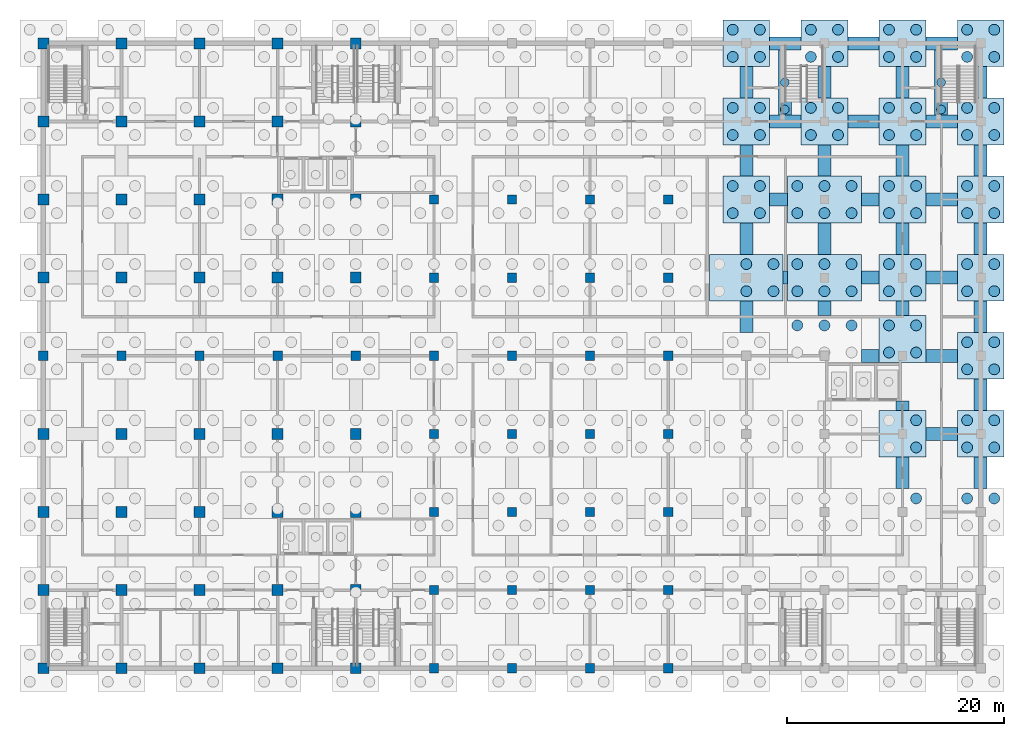
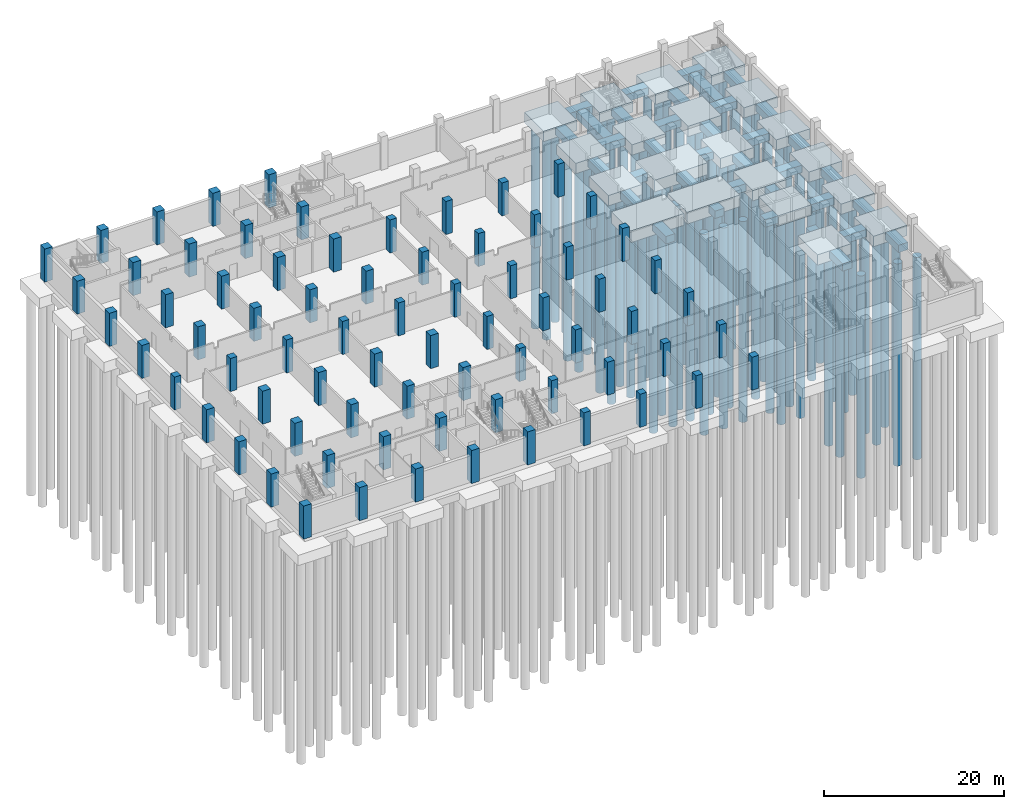
# One storey, part 5 of 19: 92 piles, 73 columns, 57 footings.
"""IFC4 building model written with IfcOpenShell, lengths in metres."""

from ifc_helpers import new_model, si_unit, direction, frame, origin, origin_2d, place, context, subcontext, project, spatial, rectangle, circle, extrude, material, material_profile, profile_set, type_object, element, save


model = new_model("IFC4")

# Units and contexts
model_context = context("Model", 3, precision=1e-05, world=origin(), true_north=direction((0.0, 1.0)))
body_context = subcontext(model_context, "Body", "Model", "MODEL_VIEW")
ifc_project = project(units=[si_unit("LENGTHUNIT", "METRE"), si_unit("AREAUNIT", "SQUARE_METRE"), si_unit("VOLUMEUNIT", "CUBIC_METRE"), si_unit("PLANEANGLEUNIT", "RADIAN"), si_unit("MASSUNIT", "GRAM", prefix="KILO")], contexts=[model_context])

# Site, building, storey
site_placement = place(None, origin())
site = spatial("IfcSite", under=ifc_project, at=site_placement, CompositionType="ELEMENT")
building_placement = place(site_placement, origin())
building = spatial("IfcBuilding", under=site, at=building_placement, Name="Silangan Lancet Faculty of Sciences", CompositionType="ELEMENT")
storey_placement = place(building_placement, frame((0.0, 0.0, -4.5)))
storey = spatial("IfcBuildingStorey", under=building, at=storey_placement, Name="B1", CompositionType="ELEMENT", Elevation=-4.5)

# Piles
ifc_material_1 = material(Name="Concrete C30/37", Category="concrete")
ifc_material_profile_1 = material_profile(ifc_material_1, circle(Radius=0.5, at=origin_2d()), Name="BORED PILE D1000")
ifc_profile_set_1 = profile_set([ifc_material_profile_1], Name="Concrete C30/37")
pile_type_1 = type_object("IfcPileType", Name="PILE BORED D1000", PredefinedType="BORED", material=ifc_profile_set_1)
for number, where, z_axis, x_axis, name in (
    (1, (64.800048828125, 34.75, -2.199951171875), (0.0, 0.0, -1.0), (1.0, 0.0, 0.0), "PILE-10F-2"),
    (2, (67.300048828125, 34.75, -2.199951171875), (0.0, 0.0, -1.0), (1.0, 0.0, 0.0), "PILE-10F-3"),
    (3, (64.800048828125, 37.25, -2.199951171875), (0.0, 0.0, -1.0), (1.0, 0.0, 0.0), "PILE-10F-5"),
    (4, (67.300048828125, 37.25, -2.199951171875), (0.0, 0.0, -1.0), (1.0, 0.0, 0.0), "PILE-10F-6"),
):
    element("IfcPile", number, at=place(storey_placement, frame(where, z_axis=z_axis, x_axis=x_axis)), inside=storey, type_object=pile_type_1, Name=name, PredefinedType="BORED", context=body_context, shape_type="SweptSolid", body=[
        extrude(circle(Radius=0.5, at=origin_2d()), origin(), (0.0, 0.0, 1.0), 27.300048828125),
    ])
for number, where, z_axis, x_axis, name in (
    (5, (63.550048828125, 41.949951171875, -2.0), (0.0, 0.0, -1.0), (1.0, 0.0, 0.0), "PILE-10G-1"),
    (6, (66.050048828125, 41.949951171875, -2.0), (0.0, 0.0, -1.0), (1.0, 0.0, 0.0), "PILE-10G-2"),
    (7, (63.550048828125, 44.449951171875, -2.0), (0.0, 0.0, -1.0), (1.0, 0.0, 0.0), "PILE-10G-3"),
    (8, (66.050048828125, 44.449951171875, -2.0), (0.0, 0.0, -1.0), (1.0, 0.0, 0.0), "PILE-10G-4"),
    (9, (63.550048828125, 49.14990234375, -2.0), (0.0, 0.0, -1.0), (1.0, 0.0, 0.0), "PILE-10H-1"),
    (10, (66.050048828125, 49.14990234375, -2.0), (0.0, 0.0, -1.0), (1.0, 0.0, 0.0), "PILE-10H-2"),
    (11, (63.550048828125, 51.64990234375, -2.0), (0.0, 0.0, -1.0), (1.0, 0.0, 0.0), "PILE-10H-3"),
    (12, (66.050048828125, 51.64990234375, -2.0), (0.0, 0.0, -1.0), (1.0, 0.0, 0.0), "PILE-10H-4"),
    (13, (63.550048828125, 56.35009765625, -2.0), (0.0, 0.0, -1.0), (1.0, 0.0, 0.0), "PILE-10I-1"),
    (14, (66.050048828125, 56.35009765625, -2.0), (0.0, 0.0, -1.0), (1.0, 0.0, 0.0), "PILE-10I-2"),
    (15, (63.550048828125, 58.85009765625, -2.0), (0.0, 0.0, -1.0), (1.0, 0.0, 0.0), "PILE-10I-3"),
    (16, (66.050048828125, 58.85009765625, -2.0), (0.0, 0.0, -1.0), (1.0, 0.0, 0.0), "PILE-10I-4"),
):
    element("IfcPile", number, at=place(storey_placement, frame(where, z_axis=z_axis, x_axis=x_axis)), inside=storey, type_object=pile_type_1, Name=name, PredefinedType="BORED", context=body_context, shape_type="SweptSolid", body=[
        extrude(circle(Radius=0.5, at=origin_2d()), origin(), (0.0, 0.0, 1.0), 27.5),
    ])
for number, where, z_axis, x_axis, name in (
    (17, (69.5, 31.60009765625, -2.199951171875), (0.0, 0.0, -1.0), (1.0, 0.0, 0.0), "PILE-11E-4"),
    (18, (72.0, 31.60009765625, -2.199951171875), (0.0, 0.0, -1.0), (1.0, 0.0, 0.0), "PILE-11E-5"),
    (19, (74.5, 31.60009765625, -2.199951171875), (0.0, 0.0, -1.0), (1.0, 0.0, 0.0), "PILE-11E-6"),
    (20, (69.5, 34.75, -2.199951171875), (0.0, 0.0, -1.0), (1.0, 0.0, 0.0), "PILE-11F-1"),
    (21, (72.0, 34.75, -2.199951171875), (0.0, 0.0, -1.0), (1.0, 0.0, 0.0), "PILE-11F-2"),
    (22, (74.5, 34.75, -2.199951171875), (0.0, 0.0, -1.0), (1.0, 0.0, 0.0), "PILE-11F-3"),
    (23, (69.5, 37.25, -2.199951171875), (0.0, 0.0, -1.0), (1.0, 0.0, 0.0), "PILE-11F-4"),
    (24, (72.0, 37.25, -2.199951171875), (0.0, 0.0, -1.0), (1.0, 0.0, 0.0), "PILE-11F-5"),
    (25, (74.5, 37.25, -2.199951171875), (0.0, 0.0, -1.0), (1.0, 0.0, 0.0), "PILE-11F-6"),
    (26, (69.5, 41.949951171875, -2.199951171875), (0.0, 0.0, -1.0), (1.0, 0.0, 0.0), "PILE-11G-1"),
    (27, (72.0, 41.949951171875, -2.199951171875), (0.0, 0.0, -1.0), (1.0, 0.0, 0.0), "PILE-11G-2"),
    (28, (74.5, 41.949951171875, -2.199951171875), (0.0, 0.0, -1.0), (1.0, 0.0, 0.0), "PILE-11G-3"),
    (29, (69.5, 44.449951171875, -2.199951171875), (0.0, 0.0, -1.0), (1.0, 0.0, 0.0), "PILE-11G-4"),
    (30, (72.0, 44.449951171875, -2.199951171875), (0.0, 0.0, -1.0), (1.0, 0.0, 0.0), "PILE-11G-5"),
    (31, (74.5, 44.449951171875, -2.199951171875), (0.0, 0.0, -1.0), (1.0, 0.0, 0.0), "PILE-11G-6"),
):
    element("IfcPile", number, at=place(storey_placement, frame(where, z_axis=z_axis, x_axis=x_axis)), inside=storey, type_object=pile_type_1, Name=name, PredefinedType="BORED", context=body_context, shape_type="SweptSolid", body=[
        extrude(circle(Radius=0.5, at=origin_2d()), origin(), (0.0, 0.0, 1.0), 27.300048828125),
    ])
for number, where, z_axis, x_axis, name in (
    (32, (70.75, 49.14990234375, -2.0), (0.0, 0.0, -1.0), (1.0, 0.0, 0.0), "PILE-11H-1"),
    (33, (73.25, 49.14990234375, -2.0), (0.0, 0.0, -1.0), (1.0, 0.0, 0.0), "PILE-11H-2"),
    (34, (70.75, 51.64990234375, -2.0), (0.0, 0.0, -1.0), (1.0, 0.0, 0.0), "PILE-11H-3"),
    (35, (73.25, 51.64990234375, -2.0), (0.0, 0.0, -1.0), (1.0, 0.0, 0.0), "PILE-11H-4"),
    (36, (70.75, 56.35009765625, -2.0), (0.0, 0.0, -1.0), (1.0, 0.0, 0.0), "PILE-11I-1"),
    (37, (73.25, 56.35009765625, -2.0), (0.0, 0.0, -1.0), (1.0, 0.0, 0.0), "PILE-11I-2"),
    (38, (70.75, 58.85009765625, -2.0), (0.0, 0.0, -1.0), (1.0, 0.0, 0.0), "PILE-11I-3"),
    (39, (73.25, 58.85009765625, -2.0), (0.0, 0.0, -1.0), (1.0, 0.0, 0.0), "PILE-11I-4"),
    (40, (80.449951171875, 15.64990234375, -2.0), (0.0, 0.0, -1.0), (1.0, 0.0, 0.0), "PILE-12C-4"),
    (41, (80.449951171875, 20.35009765625, -2.0), (0.0, 0.0, -1.0), (1.0, 0.0, 0.0), "PILE-12D-2"),
    (42, (80.449951171875, 22.85009765625, -2.0), (0.0, 0.0, -1.0), (1.0, 0.0, 0.0), "PILE-12D-4"),
    (43, (77.949951171875, 29.10009765625, -2.0), (0.0, 0.0, -1.0), (1.0, 0.0, 0.0), "PILE-12E-1"),
    (44, (80.449951171875, 29.10009765625, -2.0), (0.0, 0.0, -1.0), (1.0, 0.0, 0.0), "PILE-12E-2"),
    (45, (77.949951171875, 31.60009765625, -2.0), (0.0, 0.0, -1.0), (1.0, 0.0, 0.0), "PILE-12E-3"),
    (46, (80.449951171875, 31.60009765625, -2.0), (0.0, 0.0, -1.0), (1.0, 0.0, 0.0), "PILE-12E-4"),
    (47, (77.949951171875, 34.75, -2.0), (0.0, 0.0, -1.0), (1.0, 0.0, 0.0), "PILE-12F-1"),
    (48, (80.449951171875, 34.75, -2.0), (0.0, 0.0, -1.0), (1.0, 0.0, 0.0), "PILE-12F-2"),
    (49, (77.949951171875, 37.25, -2.0), (0.0, 0.0, -1.0), (1.0, 0.0, 0.0), "PILE-12F-3"),
    (50, (80.449951171875, 37.25, -2.0), (0.0, 0.0, -1.0), (1.0, 0.0, 0.0), "PILE-12F-4"),
    (51, (77.949951171875, 41.949951171875, -2.0), (0.0, 0.0, -1.0), (1.0, 0.0, 0.0), "PILE-12G-1"),
    (52, (80.449951171875, 41.949951171875, -2.0), (0.0, 0.0, -1.0), (1.0, 0.0, 0.0), "PILE-12G-2"),
    (53, (77.949951171875, 44.449951171875, -2.0), (0.0, 0.0, -1.0), (1.0, 0.0, 0.0), "PILE-12G-3"),
    (54, (80.449951171875, 44.449951171875, -2.0), (0.0, 0.0, -1.0), (1.0, 0.0, 0.0), "PILE-12G-4"),
    (55, (77.949951171875, 49.14990234375, -2.0), (0.0, 0.0, -1.0), (1.0, 0.0, 0.0), "PILE-12H-1"),
    (56, (80.449951171875, 49.14990234375, -2.0), (0.0, 0.0, -1.0), (1.0, 0.0, 0.0), "PILE-12H-2"),
    (57, (77.949951171875, 51.64990234375, -2.0), (0.0, 0.0, -1.0), (1.0, 0.0, 0.0), "PILE-12H-3"),
    (58, (80.449951171875, 51.64990234375, -2.0), (0.0, 0.0, -1.0), (1.0, 0.0, 0.0), "PILE-12H-4"),
    (59, (77.949951171875, 56.35009765625, -2.0), (0.0, 0.0, -1.0), (1.0, 0.0, 0.0), "PILE-12I-1"),
    (60, (80.449951171875, 56.35009765625, -2.0), (0.0, 0.0, -1.0), (1.0, 0.0, 0.0), "PILE-12I-2"),
    (61, (77.949951171875, 58.85009765625, -2.0), (0.0, 0.0, -1.0), (1.0, 0.0, 0.0), "PILE-12I-3"),
    (62, (80.449951171875, 58.85009765625, -2.0), (0.0, 0.0, -1.0), (1.0, 0.0, 0.0), "PILE-12I-4"),
    (63, (85.14990234375, 15.64990234375, -2.0), (0.0, 0.0, -1.0), (1.0, 0.0, 0.0), "PILE-13C-3"),
    (64, (87.64990234375, 15.64990234375, -2.0), (0.0, 0.0, -1.0), (1.0, 0.0, 0.0), "PILE-13C-4"),
    (65, (85.14990234375, 20.35009765625, -2.0), (0.0, 0.0, -1.0), (1.0, 0.0, 0.0), "PILE-13D-1"),
    (66, (87.64990234375, 20.35009765625, -2.0), (0.0, 0.0, -1.0), (1.0, 0.0, 0.0), "PILE-13D-2"),
    (67, (85.14990234375, 22.85009765625, -2.0), (0.0, 0.0, -1.0), (1.0, 0.0, 0.0), "PILE-13D-3"),
    (68, (87.64990234375, 22.85009765625, -2.0), (0.0, 0.0, -1.0), (1.0, 0.0, 0.0), "PILE-13D-4"),
    (69, (85.14990234375, 27.550048828125, -2.0), (0.0, 0.0, -1.0), (1.0, 0.0, 0.0), "PILE-13E-1"),
    (70, (87.64990234375, 27.550048828125, -2.0), (0.0, 0.0, -1.0), (1.0, 0.0, 0.0), "PILE-13E-2"),
    (71, (85.14990234375, 30.050048828125, -2.0), (0.0, 0.0, -1.0), (1.0, 0.0, 0.0), "PILE-13E-3"),
    (72, (87.64990234375, 30.050048828125, -2.0), (0.0, 0.0, -1.0), (1.0, 0.0, 0.0), "PILE-13E-4"),
    (73, (85.14990234375, 34.75, -2.0), (0.0, 0.0, -1.0), (1.0, 0.0, 0.0), "PILE-13F-1"),
    (74, (87.64990234375, 34.75, -2.0), (0.0, 0.0, -1.0), (1.0, 0.0, 0.0), "PILE-13F-2"),
    (75, (85.14990234375, 37.25, -2.0), (0.0, 0.0, -1.0), (1.0, 0.0, 0.0), "PILE-13F-3"),
    (76, (87.64990234375, 37.25, -2.0), (0.0, 0.0, -1.0), (1.0, 0.0, 0.0), "PILE-13F-4"),
    (77, (85.14990234375, 41.949951171875, -2.0), (0.0, 0.0, -1.0), (1.0, 0.0, 0.0), "PILE-13G-1"),
    (78, (87.64990234375, 41.949951171875, -2.0), (0.0, 0.0, -1.0), (1.0, 0.0, 0.0), "PILE-13G-2"),
    (79, (85.14990234375, 44.449951171875, -2.0), (0.0, 0.0, -1.0), (1.0, 0.0, 0.0), "PILE-13G-3"),
    (80, (87.64990234375, 44.449951171875, -2.0), (0.0, 0.0, -1.0), (1.0, 0.0, 0.0), "PILE-13G-4"),
    (81, (85.14990234375, 49.14990234375, -2.0), (0.0, 0.0, -1.0), (1.0, 0.0, 0.0), "PILE-13H-1"),
    (82, (87.64990234375, 49.14990234375, -2.0), (0.0, 0.0, -1.0), (1.0, 0.0, 0.0), "PILE-13H-2"),
    (83, (85.14990234375, 51.64990234375, -2.0), (0.0, 0.0, -1.0), (1.0, 0.0, 0.0), "PILE-13H-3"),
    (84, (87.64990234375, 51.64990234375, -2.0), (0.0, 0.0, -1.0), (1.0, 0.0, 0.0), "PILE-13H-4"),
    (85, (85.14990234375, 56.35009765625, -2.0), (0.0, 0.0, -1.0), (1.0, 0.0, 0.0), "PILE-13I-1"),
    (86, (87.64990234375, 56.35009765625, -2.0), (0.0, 0.0, -1.0), (1.0, 0.0, 0.0), "PILE-13I-2"),
    (87, (85.14990234375, 58.85009765625, -2.0), (0.0, 0.0, -1.0), (1.0, 0.0, 0.0), "PILE-13I-3"),
    (88, (87.64990234375, 58.85009765625, -2.0), (0.0, 0.0, -1.0), (1.0, 0.0, 0.0), "PILE-13I-4"),
):
    element("IfcPile", number, at=place(storey_placement, frame(where, z_axis=z_axis, x_axis=x_axis)), inside=storey, type_object=pile_type_1, Name=name, PredefinedType="BORED", context=body_context, shape_type="SweptSolid", body=[
        extrude(circle(Radius=0.5, at=origin_2d()), origin(), (0.0, 0.0, 1.0), 27.5),
    ])
ifc_material_2 = material(Name="Concrete C30/37", Category="concrete")
ifc_material_profile_2 = material_profile(ifc_material_2, circle(Radius=0.39990234375, at=origin_2d()), Name="BORED PILE D800")
ifc_profile_set_2 = profile_set([ifc_material_profile_2], Name="Concrete C30/37")
pile_type_2 = type_object("IfcPileType", Name="PILE BORED D800", PredefinedType="BORED", material=ifc_profile_set_2)
for number, where, z_axis, x_axis, name in (
    (89, (68.35009765625, 54.0, -1.60009765625), (0.0, 0.0, -1.0), (1.0, 0.0, 0.0), "PILE-FB-WNAB-B-1"),
    (90, (68.35009765625, 51.5, -1.60009765625), (0.0, 0.0, -1.0), (1.0, 0.0, 0.0), "PILE-FB-WNAB-B-2"),
    (91, (82.75, 54.0, -1.60009765625), (0.0, 0.0, -1.0), (1.0, 0.0, 0.0), "PILE-FB-WEB-B-1"),
    (92, (82.75, 51.5, -1.60009765625), (0.0, 0.0, -1.0), (1.0, 0.0, 0.0), "PILE-FB-WEB-B-2"),
):
    element("IfcPile", number, at=place(storey_placement, frame(where, z_axis=z_axis, x_axis=x_axis)), inside=storey, type_object=pile_type_2, Name=name, PredefinedType="BORED", context=body_context, shape_type="SweptSolid", body=[
        extrude(circle(Radius=0.39990234375, at=origin_2d()), origin(), (0.0, 0.0, 1.0), 27.89990234375),
    ])

# Footings
ifc_material_3 = material(Name="Concrete C30/37", Category="concrete")
footing_type_1 = type_object("IfcFootingType", Name="PILE CAP 4 PILES 4300x4300x1400", PredefinedType="PILE_CAP", material=ifc_material_3)
for number, where, z_axis, x_axis, name in (
    (93, (64.800048828125, 43.199951171875, -2.0), (0.0, 0.0, 1.0), (1.0, 0.0, 0.0), "CAP-10G"),
    (94, (64.800048828125, 50.39990234375, -2.0), (0.0, 0.0, 1.0), (1.0, 0.0, 0.0), "CAP-10H"),
    (95, (64.800048828125, 57.60009765625, -2.0), (0.0, 0.0, 1.0), (1.0, 0.0, 0.0), "CAP-10I"),
    (96, (72.0, 50.39990234375, -2.0), (0.0, 0.0, 1.0), (1.0, 0.0, 0.0), "CAP-11H"),
    (97, (72.0, 57.60009765625, -2.0), (0.0, 0.0, 1.0), (1.0, 0.0, 0.0), "CAP-11I"),
    (98, (79.199951171875, 21.60009765625, -2.0), (0.0, 0.0, 1.0), (1.0, 0.0, 0.0), "CAP-12D"),
    (99, (79.199951171875, 30.35009765625, -2.0), (0.0, 0.0, 1.0), (1.0, 0.0, 0.0), "CAP-12E"),
    (100, (79.199951171875, 36.0, -2.0), (0.0, 0.0, 1.0), (1.0, 0.0, 0.0), "CAP-12F"),
    (101, (79.199951171875, 43.199951171875, -2.0), (0.0, 0.0, 1.0), (1.0, 0.0, 0.0), "CAP-12G"),
    (102, (79.199951171875, 50.39990234375, -2.0), (0.0, 0.0, 1.0), (1.0, 0.0, 0.0), "CAP-12H"),
    (103, (79.199951171875, 57.60009765625, -2.0), (0.0, 0.0, 1.0), (1.0, 0.0, 0.0), "CAP-12I"),
    (104, (86.39990234375, 21.60009765625, -2.0), (0.0, 0.0, 1.0), (1.0, 0.0, 0.0), "CAP-13D"),
    (105, (86.39990234375, 28.800048828125, -2.0), (0.0, 0.0, 1.0), (1.0, 0.0, 0.0), "CAP-13E"),
    (106, (86.39990234375, 36.0, -2.0), (0.0, 0.0, 1.0), (1.0, 0.0, 0.0), "CAP-13F"),
    (107, (86.39990234375, 43.199951171875, -2.0), (0.0, 0.0, 1.0), (1.0, 0.0, 0.0), "CAP-13G"),
    (108, (86.39990234375, 50.39990234375, -2.0), (0.0, 0.0, 1.0), (1.0, 0.0, 0.0), "CAP-13H"),
    (109, (86.39990234375, 57.60009765625, -2.0), (0.0, 0.0, 1.0), (1.0, 0.0, 0.0), "CAP-13I"),
):
    element("IfcFooting", number, at=place(storey_placement, frame(where, z_axis=z_axis, x_axis=x_axis)), inside=storey, type_object=footing_type_1, Name=name, PredefinedType="PILE_CAP", context=body_context, shape_type="SweptSolid", body=[
        extrude(rectangle(XDim=4.300048828125, YDim=4.300048828125, at=origin_2d()), origin(), (0.0, 0.0, 1.0), 1.39990234375),
    ])
ifc_material_4 = material(Name="Concrete C30/37", Category="concrete")
footing_type_2 = type_object("IfcFootingType", Name="PILE CAP 6 PILES 6800x4300x1600", PredefinedType="PILE_CAP", material=ifc_material_4)
for number, where, z_axis, x_axis, name in (
    (110, (64.800048828125, 36.0, -2.199951171875), (0.0, 0.0, 1.0), (1.0, 0.0, 0.0), "CAP-10F"),
    (111, (72.0, 36.0, -2.199951171875), (0.0, 0.0, 1.0), (1.0, 0.0, 0.0), "CAP-11F"),
    (112, (72.0, 43.199951171875, -2.199951171875), (0.0, 0.0, 1.0), (1.0, 0.0, 0.0), "CAP-11G"),
):
    element("IfcFooting", number, at=place(storey_placement, frame(where, z_axis=z_axis, x_axis=x_axis)), inside=storey, type_object=footing_type_2, Name=name, PredefinedType="PILE_CAP", context=body_context, shape_type="SweptSolid", body=[
        extrude(rectangle(XDim=6.800048828125, YDim=4.300048828125, at=origin_2d()), origin(), (0.0, 0.0, 1.0), 1.60009765625),
    ])
ifc_material_5 = material(Name="Concrete C30/37", Category="concrete")
footing_type_3 = type_object("IfcFootingType", Name="PILE CAP BEAM 1200x1000", PredefinedType="FOOTING_BEAM", material=ifc_material_5)
for number, where, z_axis, x_axis, name in (
    (113, (68.39990234375, 57.60009765625, -1.60009765625), (0.0, 0.0, 1.0), (1.0, 0.0, 0.0), "FB-10I-11I"),
    (114, (75.60009765625, 57.60009765625, -1.60009765625), (0.0, 0.0, 1.0), (1.0, 0.0, 0.0), "FB-11I-12I"),
    (115, (82.800048828125, 57.60009765625, -1.60009765625), (0.0, 0.0, 1.0), (1.0, 0.0, 0.0), "FB-12I-13I"),
    (116, (86.39990234375, 18.0, -1.60009765625), (0.0, 0.0, 1.0), (0.0, 1.0, 0.0), "FB-13C-13D"),
    (117, (86.39990234375, 25.199951171875, -1.60009765625), (0.0, 0.0, 1.0), (0.0, 1.0, 0.0), "FB-13D-13E"),
    (118, (86.39990234375, 32.39990234375, -1.60009765625), (0.0, 0.0, 1.0), (0.0, 1.0, 0.0), "FB-13E-13F"),
    (119, (86.39990234375, 39.60009765625, -1.60009765625), (0.0, 0.0, 1.0), (0.0, 1.0, 0.0), "FB-13F-13G"),
    (120, (86.39990234375, 46.800048828125, -1.60009765625), (0.0, 0.0, 1.0), (0.0, 1.0, 0.0), "FB-13G-13H"),
    (121, (86.39990234375, 54.0, -1.60009765625), (0.0, 0.0, 1.0), (0.0, 1.0, 0.0), "FB-13H-13I"),
    (122, (64.800048828125, 32.39990234375, -1.60009765625), (0.0, 0.0, 1.0), (0.0, 1.0, 0.0), "FB-10E-10F"),
    (123, (64.800048828125, 39.60009765625, -1.60009765625), (0.0, 0.0, 1.0), (0.0, 1.0, 0.0), "FB-10F-10G"),
    (124, (64.800048828125, 46.800048828125, -1.60009765625), (0.0, 0.0, 1.0), (0.0, 1.0, 0.0), "FB-10G-10H"),
    (125, (64.800048828125, 54.0, -1.60009765625), (0.0, 0.0, 1.0), (0.0, 1.0, 0.0), "FB-10H-10I"),
):
    element("IfcFooting", number, at=place(storey_placement, frame(where, z_axis=z_axis, x_axis=x_axis)), inside=storey, type_object=footing_type_3, Name=name, PredefinedType="FOOTING_BEAM", context=body_context, shape_type="SweptSolid", body=[
        extrude(rectangle(XDim=2.89990234375, YDim=1.199951171875, at=origin_2d()), origin(), (0.0, 0.0, 1.0), 1.0),
    ])
footing_1_placement = place(storey_placement, frame((72.0, 33.175048828125, -1.60009765625), z_axis=(0.0, 0.0, 1.0), x_axis=(0.0, 1.0, 0.0)))
element("IfcFooting", 126, at=footing_1_placement, inside=storey, type_object=footing_type_3, Name="FB-11E-11F", PredefinedType="FOOTING_BEAM", context=body_context, shape_type="SweptSolid", body=[
    extrude(rectangle(XDim=1.35009765625, YDim=1.199951171875, at=origin_2d()), origin(), (0.0, 0.0, 1.0), 1.0),
])
for number, where, z_axis, x_axis, name in (
    (127, (72.0, 39.60009765625, -1.60009765625), (0.0, 0.0, 1.0), (0.0, 1.0, 0.0), "FB-11F-11G"),
    (128, (72.0, 46.800048828125, -1.60009765625), (0.0, 0.0, 1.0), (0.0, 1.0, 0.0), "FB-11G-11H"),
    (129, (72.0, 54.0, -1.60009765625), (0.0, 0.0, 1.0), (0.0, 1.0, 0.0), "FB-11H-11I"),
    (130, (79.199951171875, 18.0, -1.60009765625), (0.0, 0.0, 1.0), (0.0, 1.0, 0.0), "FB-12C-12D"),
):
    element("IfcFooting", number, at=place(storey_placement, frame(where, z_axis=z_axis, x_axis=x_axis)), inside=storey, type_object=footing_type_3, Name=name, PredefinedType="FOOTING_BEAM", context=body_context, shape_type="SweptSolid", body=[
        extrude(rectangle(XDim=2.89990234375, YDim=1.199951171875, at=origin_2d()), origin(), (0.0, 0.0, 1.0), 1.0),
    ])
footing_2_placement = place(storey_placement, frame((79.199951171875, 24.199951171875, -1.60009765625), z_axis=(0.0, 0.0, 1.0), x_axis=(0.0, 1.0, 0.0)))
element("IfcFooting", 131, at=footing_2_placement, inside=storey, type_object=footing_type_3, Name="FB-12D-12E", PredefinedType="FOOTING_BEAM", context=body_context, shape_type="SweptSolid", body=[
    extrude(rectangle(XDim=0.89990234375, YDim=1.199951171875, at=origin_2d()), origin(), (0.0, 0.0, 1.0), 1.0),
])
footing_3_placement = place(storey_placement, frame((79.199951171875, 33.175048828125, -1.60009765625), z_axis=(0.0, 0.0, 1.0), x_axis=(0.0, 1.0, 0.0)))
element("IfcFooting", 132, at=footing_3_placement, inside=storey, type_object=footing_type_3, Name="FB-12E-12F", PredefinedType="FOOTING_BEAM", context=body_context, shape_type="SweptSolid", body=[
    extrude(rectangle(XDim=1.35009765625, YDim=1.199951171875, at=origin_2d()), origin(), (0.0, 0.0, 1.0), 1.0),
])
for number, where, z_axis, x_axis, name in (
    (133, (79.199951171875, 39.60009765625, -1.60009765625), (0.0, 0.0, 1.0), (0.0, 1.0, 0.0), "FB-12F-12G"),
    (134, (79.199951171875, 46.800048828125, -1.60009765625), (0.0, 0.0, 1.0), (0.0, 1.0, 0.0), "FB-12G-12H"),
    (135, (79.199951171875, 54.0, -1.60009765625), (0.0, 0.0, 1.0), (0.0, 1.0, 0.0), "FB-12H-12I"),
    (136, (82.800048828125, 21.60009765625, -1.60009765625), (0.0, 0.0, 1.0), (1.0, 0.0, 0.0), "FB-12D-13D"),
):
    element("IfcFooting", number, at=place(storey_placement, frame(where, z_axis=z_axis, x_axis=x_axis)), inside=storey, type_object=footing_type_3, Name=name, PredefinedType="FOOTING_BEAM", context=body_context, shape_type="SweptSolid", body=[
        extrude(rectangle(XDim=2.89990234375, YDim=1.199951171875, at=origin_2d()), origin(), (0.0, 0.0, 1.0), 1.0),
    ])
footing_4_placement = place(storey_placement, frame((76.22509765625, 28.800048828125, -1.60009765625), z_axis=(0.0, 0.0, 1.0), x_axis=(1.0, 0.0, 0.0)))
element("IfcFooting", 137, at=footing_4_placement, inside=storey, type_object=footing_type_3, Name="FB-11E-12E", PredefinedType="FOOTING_BEAM", context=body_context, shape_type="SweptSolid", body=[
    extrude(rectangle(XDim=1.64990234375, YDim=1.199951171875, at=origin_2d()), origin(), (0.0, 0.0, 1.0), 1.0),
])
footing_5_placement = place(storey_placement, frame((82.800048828125, 28.800048828125, -1.60009765625), z_axis=(0.0, 0.0, 1.0), x_axis=(1.0, 0.0, 0.0)))
element("IfcFooting", 138, at=footing_5_placement, inside=storey, type_object=footing_type_3, Name="FB-12E-13E", PredefinedType="FOOTING_BEAM", context=body_context, shape_type="SweptSolid", body=[
    extrude(rectangle(XDim=2.89990234375, YDim=1.199951171875, at=origin_2d()), origin(), (0.0, 0.0, 1.0), 1.0),
])
footing_6_placement = place(storey_placement, frame((68.39990234375, 36.0, -1.60009765625), z_axis=(0.0, 0.0, 1.0), x_axis=(1.0, 0.0, 0.0)))
element("IfcFooting", 139, at=footing_6_placement, inside=storey, type_object=footing_type_3, Name="FB-10F-11F", PredefinedType="FOOTING_BEAM", context=body_context, shape_type="SweptSolid", body=[
    extrude(rectangle(XDim=0.39990234375, YDim=1.199951171875, at=origin_2d()), origin(), (0.0, 0.0, 1.0), 1.0),
])
footing_7_placement = place(storey_placement, frame((76.22509765625, 36.0, -1.60009765625), z_axis=(0.0, 0.0, 1.0), x_axis=(1.0, 0.0, 0.0)))
element("IfcFooting", 140, at=footing_7_placement, inside=storey, type_object=footing_type_3, Name="FB-11F-12F", PredefinedType="FOOTING_BEAM", context=body_context, shape_type="SweptSolid", body=[
    extrude(rectangle(XDim=1.64990234375, YDim=1.199951171875, at=origin_2d()), origin(), (0.0, 0.0, 1.0), 1.0),
])
footing_8_placement = place(storey_placement, frame((82.800048828125, 36.0, -1.60009765625), z_axis=(0.0, 0.0, 1.0), x_axis=(1.0, 0.0, 0.0)))
element("IfcFooting", 141, at=footing_8_placement, inside=storey, type_object=footing_type_3, Name="FB-12F-13F", PredefinedType="FOOTING_BEAM", context=body_context, shape_type="SweptSolid", body=[
    extrude(rectangle(XDim=2.89990234375, YDim=1.199951171875, at=origin_2d()), origin(), (0.0, 0.0, 1.0), 1.0),
])
for number, where, z_axis, x_axis, name in (
    (142, (67.77490234375, 43.199951171875, -1.60009765625), (0.0, 0.0, 1.0), (1.0, 0.0, 0.0), "FB-10G-11G"),
    (143, (76.22509765625, 43.199951171875, -1.60009765625), (0.0, 0.0, 1.0), (1.0, 0.0, 0.0), "FB-11G-12G"),
):
    element("IfcFooting", number, at=place(storey_placement, frame(where, z_axis=z_axis, x_axis=x_axis)), inside=storey, type_object=footing_type_3, Name=name, PredefinedType="FOOTING_BEAM", context=body_context, shape_type="SweptSolid", body=[
        extrude(rectangle(XDim=1.64990234375, YDim=1.199951171875, at=origin_2d()), origin(), (0.0, 0.0, 1.0), 1.0),
    ])
for number, where, z_axis, x_axis, name in (
    (144, (82.800048828125, 43.199951171875, -1.60009765625), (0.0, 0.0, 1.0), (1.0, 0.0, 0.0), "FB-12G-13G"),
    (145, (68.39990234375, 50.39990234375, -1.60009765625), (0.0, 0.0, 1.0), (1.0, 0.0, 0.0), "FB-10H-11H"),
    (146, (75.60009765625, 50.39990234375, -1.60009765625), (0.0, 0.0, 1.0), (1.0, 0.0, 0.0), "FB-11H-12H"),
    (147, (82.800048828125, 50.39990234375, -1.60009765625), (0.0, 0.0, 1.0), (1.0, 0.0, 0.0), "FB-12H-13H"),
):
    element("IfcFooting", number, at=place(storey_placement, frame(where, z_axis=z_axis, x_axis=x_axis)), inside=storey, type_object=footing_type_3, Name=name, PredefinedType="FOOTING_BEAM", context=body_context, shape_type="SweptSolid", body=[
        extrude(rectangle(XDim=2.89990234375, YDim=1.199951171875, at=origin_2d()), origin(), (0.0, 0.0, 1.0), 1.0),
    ])
for number, where, z_axis, x_axis, name in (
    (148, (68.35009765625, 54.0, -1.60009765625), (0.0, 0.0, 1.0), (0.0, 1.0, 0.0), "FB-WNAB-B"),
    (149, (82.75, 54.0, -1.60009765625), (0.0, 0.0, 1.0), (0.0, 1.0, 0.0), "FB-WEB-B"),
):
    element("IfcFooting", number, at=place(storey_placement, frame(where, z_axis=z_axis, x_axis=x_axis)), inside=storey, type_object=footing_type_3, Name=name, PredefinedType="FOOTING_BEAM", context=body_context, shape_type="SweptSolid", body=[
        extrude(rectangle(XDim=6.0, YDim=1.199951171875, at=origin_2d()), origin(), (0.0, 0.0, 1.0), 1.0),
    ])

# Columns
ifc_material_6 = material(Name="Concrete C50/60", Category="concrete")
ifc_material_profile_3 = material_profile(ifc_material_6, rectangle(XDim=1.0, YDim=1.0, at=origin_2d()), Name="RC 1000x1000")
ifc_profile_set_3 = profile_set([ifc_material_profile_3], Name="Concrete C50/60")
column_type_1 = type_object("IfcColumnType", Name="COLUMN RC 1000x1000", PredefinedType="COLUMN", material=ifc_profile_set_3)
for number, where, z_axis, x_axis, name in (
    (150, (0.0, 0.0, 0.0), (0.0, 0.0, 1.0), (1.0, 0.0, 0.0), "COL-B1-1A"),
    (151, (0.0, 7.199951171875, 0.0), (0.0, 0.0, 1.0), (1.0, 0.0, 0.0), "COL-B1-1B"),
    (152, (0.0, 14.39990234375, 0.0), (0.0, 0.0, 1.0), (1.0, 0.0, 0.0), "COL-B1-1C"),
    (153, (0.0, 21.60009765625, 0.0), (0.0, 0.0, 1.0), (1.0, 0.0, 0.0), "COL-B1-1D"),
    (154, (0.0, 36.0, 0.0), (0.0, 0.0, 1.0), (1.0, 0.0, 0.0), "COL-B1-1F"),
    (155, (0.0, 43.199951171875, 0.0), (0.0, 0.0, 1.0), (1.0, 0.0, 0.0), "COL-B1-1G"),
    (156, (0.0, 50.39990234375, 0.0), (0.0, 0.0, 1.0), (1.0, 0.0, 0.0), "COL-B1-1H"),
    (157, (0.0, 57.60009765625, 0.0), (0.0, 0.0, 1.0), (1.0, 0.0, 0.0), "COL-B1-1I"),
    (158, (7.199951171875, 0.0, 0.0), (0.0, 0.0, 1.0), (1.0, 0.0, 0.0), "COL-B1-2A"),
    (159, (7.199951171875, 7.199951171875, 0.0), (0.0, 0.0, 1.0), (1.0, 0.0, 0.0), "COL-B1-2B"),
    (160, (7.199951171875, 14.39990234375, 0.0), (0.0, 0.0, 1.0), (1.0, 0.0, 0.0), "COL-B1-2C"),
    (161, (7.199951171875, 21.60009765625, 0.0), (0.0, 0.0, 1.0), (1.0, 0.0, 0.0), "COL-B1-2D"),
    (162, (7.199951171875, 36.0, 0.0), (0.0, 0.0, 1.0), (1.0, 0.0, 0.0), "COL-B1-2F"),
    (163, (7.199951171875, 43.199951171875, 0.0), (0.0, 0.0, 1.0), (1.0, 0.0, 0.0), "COL-B1-2G"),
    (164, (7.199951171875, 50.39990234375, 0.0), (0.0, 0.0, 1.0), (1.0, 0.0, 0.0), "COL-B1-2H"),
    (165, (7.199951171875, 57.60009765625, 0.0), (0.0, 0.0, 1.0), (1.0, 0.0, 0.0), "COL-B1-2I"),
    (166, (14.39990234375, 0.0, 0.0), (0.0, 0.0, 1.0), (1.0, 0.0, 0.0), "COL-B1-3A"),
    (167, (14.39990234375, 7.199951171875, 0.0), (0.0, 0.0, 1.0), (1.0, 0.0, 0.0), "COL-B1-3B"),
    (168, (14.39990234375, 14.39990234375, 0.0), (0.0, 0.0, 1.0), (1.0, 0.0, 0.0), "COL-B1-3C"),
    (169, (14.39990234375, 21.60009765625, 0.0), (0.0, 0.0, 1.0), (1.0, 0.0, 0.0), "COL-B1-3D"),
    (170, (14.39990234375, 36.0, 0.0), (0.0, 0.0, 1.0), (1.0, 0.0, 0.0), "COL-B1-3F"),
    (171, (14.39990234375, 43.199951171875, 0.0), (0.0, 0.0, 1.0), (1.0, 0.0, 0.0), "COL-B1-3G"),
    (172, (14.39990234375, 50.39990234375, 0.0), (0.0, 0.0, 1.0), (1.0, 0.0, 0.0), "COL-B1-3H"),
    (173, (14.39990234375, 57.60009765625, 0.0), (0.0, 0.0, 1.0), (1.0, 0.0, 0.0), "COL-B1-3I"),
    (174, (21.60009765625, 0.0, 0.0), (0.0, 0.0, 1.0), (1.0, 0.0, 0.0), "COL-B1-4A"),
    (175, (21.60009765625, 7.199951171875, 0.0), (0.0, 0.0, 1.0), (1.0, 0.0, 0.0), "COL-B1-4B"),
    (176, (21.60009765625, 14.39990234375, 0.0), (0.0, 0.0, 1.0), (1.0, 0.0, 0.0), "COL-B1-4C"),
    (177, (21.60009765625, 21.60009765625, 0.0), (0.0, 0.0, 1.0), (1.0, 0.0, 0.0), "COL-B1-4D"),
    (178, (21.60009765625, 36.0, 0.0), (0.0, 0.0, 1.0), (1.0, 0.0, 0.0), "COL-B1-4F"),
    (179, (21.60009765625, 43.199951171875, 0.0), (0.0, 0.0, 1.0), (1.0, 0.0, 0.0), "COL-B1-4G"),
    (180, (21.60009765625, 50.39990234375, 0.0), (0.0, 0.0, 1.0), (1.0, 0.0, 0.0), "COL-B1-4H"),
    (181, (21.60009765625, 57.60009765625, 0.0), (0.0, 0.0, 1.0), (1.0, 0.0, 0.0), "COL-B1-4I"),
    (182, (28.800048828125, 0.0, 0.0), (0.0, 0.0, 1.0), (1.0, 0.0, 0.0), "COL-B1-5A"),
    (183, (28.800048828125, 7.199951171875, 0.0), (0.0, 0.0, 1.0), (1.0, 0.0, 0.0), "COL-B1-5B"),
    (184, (28.800048828125, 14.39990234375, 0.0), (0.0, 0.0, 1.0), (1.0, 0.0, 0.0), "COL-B1-5C"),
    (185, (28.800048828125, 21.60009765625, 0.0), (0.0, 0.0, 1.0), (1.0, 0.0, 0.0), "COL-B1-5D"),
    (186, (28.800048828125, 36.0, 0.0), (0.0, 0.0, 1.0), (1.0, 0.0, 0.0), "COL-B1-5F"),
    (187, (28.800048828125, 43.199951171875, 0.0), (0.0, 0.0, 1.0), (1.0, 0.0, 0.0), "COL-B1-5G"),
    (188, (28.800048828125, 50.39990234375, 0.0), (0.0, 0.0, 1.0), (1.0, 0.0, 0.0), "COL-B1-5H"),
    (189, (28.800048828125, 57.60009765625, 0.0), (0.0, 0.0, 1.0), (1.0, 0.0, 0.0), "COL-B1-5I"),
):
    element("IfcColumn", number, at=place(storey_placement, frame(where, z_axis=z_axis, x_axis=x_axis)), inside=storey, type_object=column_type_1, Name=name, PredefinedType="COLUMN", context=body_context, shape_type="SweptSolid", body=[
        extrude(rectangle(XDim=1.0, YDim=1.0, at=origin_2d()), origin(), (0.0, 0.0, 1.0), 4.5),
    ])
ifc_material_7 = material(Name="Concrete C40/50", Category="concrete")
ifc_material_profile_4 = material_profile(ifc_material_7, rectangle(XDim=0.85009765625, YDim=0.85009765625, at=origin_2d()), Name="RC 850x850")
ifc_profile_set_4 = profile_set([ifc_material_profile_4], Name="Concrete C40/50")
column_type_2 = type_object("IfcColumnType", Name="COLUMN RC 850x850", PredefinedType="COLUMN", material=ifc_profile_set_4)
for number, where, z_axis, x_axis, name in (
    (190, (0.0, 28.800048828125, 0.0), (0.0, 0.0, 1.0), (1.0, 0.0, 0.0), "COL-B1-1E"),
    (191, (7.199951171875, 28.800048828125, 0.0), (0.0, 0.0, 1.0), (1.0, 0.0, 0.0), "COL-B1-2E"),
    (192, (14.39990234375, 28.800048828125, 0.0), (0.0, 0.0, 1.0), (1.0, 0.0, 0.0), "COL-B1-3E"),
    (193, (21.60009765625, 28.800048828125, 0.0), (0.0, 0.0, 1.0), (1.0, 0.0, 0.0), "COL-B1-4E"),
    (194, (28.800048828125, 28.800048828125, 0.0), (0.0, 0.0, 1.0), (1.0, 0.0, 0.0), "COL-B1-5E"),
    (195, (36.0, 0.0, 0.0), (0.0, 0.0, 1.0), (1.0, 0.0, 0.0), "COL-B1-6A"),
    (196, (36.0, 7.199951171875, 0.0), (0.0, 0.0, 1.0), (1.0, 0.0, 0.0), "COL-B1-6B"),
    (197, (36.0, 14.39990234375, 0.0), (0.0, 0.0, 1.0), (1.0, 0.0, 0.0), "COL-B1-6C"),
    (198, (36.0, 21.60009765625, 0.0), (0.0, 0.0, 1.0), (1.0, 0.0, 0.0), "COL-B1-6D"),
    (199, (36.0, 28.800048828125, 0.0), (0.0, 0.0, 1.0), (1.0, 0.0, 0.0), "COL-B1-6E"),
    (200, (36.0, 36.0, 0.0), (0.0, 0.0, 1.0), (1.0, 0.0, 0.0), "COL-B1-6F"),
    (201, (36.0, 43.199951171875, 0.0), (0.0, 0.0, 1.0), (1.0, 0.0, 0.0), "COL-B1-6G"),
    (202, (43.199951171875, 0.0, 0.0), (0.0, 0.0, 1.0), (1.0, 0.0, 0.0), "COL-B1-7A"),
    (203, (43.199951171875, 7.199951171875, 0.0), (0.0, 0.0, 1.0), (1.0, 0.0, 0.0), "COL-B1-7B"),
    (204, (43.199951171875, 14.39990234375, 0.0), (0.0, 0.0, 1.0), (1.0, 0.0, 0.0), "COL-B1-7C"),
    (205, (43.199951171875, 21.60009765625, 0.0), (0.0, 0.0, 1.0), (1.0, 0.0, 0.0), "COL-B1-7D"),
    (206, (43.199951171875, 28.800048828125, 0.0), (0.0, 0.0, 1.0), (1.0, 0.0, 0.0), "COL-B1-7E"),
    (207, (43.199951171875, 36.0, 0.0), (0.0, 0.0, 1.0), (1.0, 0.0, 0.0), "COL-B1-7F"),
    (208, (43.199951171875, 43.199951171875, 0.0), (0.0, 0.0, 1.0), (1.0, 0.0, 0.0), "COL-B1-7G"),
    (209, (50.39990234375, 0.0, 0.0), (0.0, 0.0, 1.0), (1.0, 0.0, 0.0), "COL-B1-8A"),
    (210, (50.39990234375, 7.199951171875, 0.0), (0.0, 0.0, 1.0), (1.0, 0.0, 0.0), "COL-B1-8B"),
    (211, (50.39990234375, 14.39990234375, 0.0), (0.0, 0.0, 1.0), (1.0, 0.0, 0.0), "COL-B1-8C"),
    (212, (50.39990234375, 21.60009765625, 0.0), (0.0, 0.0, 1.0), (1.0, 0.0, 0.0), "COL-B1-8D"),
    (213, (50.39990234375, 28.800048828125, 0.0), (0.0, 0.0, 1.0), (1.0, 0.0, 0.0), "COL-B1-8E"),
    (214, (50.39990234375, 36.0, 0.0), (0.0, 0.0, 1.0), (1.0, 0.0, 0.0), "COL-B1-8F"),
    (215, (50.39990234375, 43.199951171875, 0.0), (0.0, 0.0, 1.0), (1.0, 0.0, 0.0), "COL-B1-8G"),
    (216, (57.60009765625, 0.0, 0.0), (0.0, 0.0, 1.0), (1.0, 0.0, 0.0), "COL-B1-9A"),
    (217, (57.60009765625, 7.199951171875, 0.0), (0.0, 0.0, 1.0), (1.0, 0.0, 0.0), "COL-B1-9B"),
    (218, (57.60009765625, 14.39990234375, 0.0), (0.0, 0.0, 1.0), (1.0, 0.0, 0.0), "COL-B1-9C"),
    (219, (57.60009765625, 21.60009765625, 0.0), (0.0, 0.0, 1.0), (1.0, 0.0, 0.0), "COL-B1-9D"),
    (220, (57.60009765625, 28.800048828125, 0.0), (0.0, 0.0, 1.0), (1.0, 0.0, 0.0), "COL-B1-9E"),
    (221, (57.60009765625, 36.0, 0.0), (0.0, 0.0, 1.0), (1.0, 0.0, 0.0), "COL-B1-9F"),
    (222, (57.60009765625, 43.199951171875, 0.0), (0.0, 0.0, 1.0), (1.0, 0.0, 0.0), "COL-B1-9G"),
):
    element("IfcColumn", number, at=place(storey_placement, frame(where, z_axis=z_axis, x_axis=x_axis)), inside=storey, type_object=column_type_2, Name=name, PredefinedType="COLUMN", context=body_context, shape_type="SweptSolid", body=[
        extrude(rectangle(XDim=0.85009765625, YDim=0.85009765625, at=origin_2d()), origin(), (0.0, 0.0, 1.0), 4.5),
    ])

save(model, "model.ifc")
